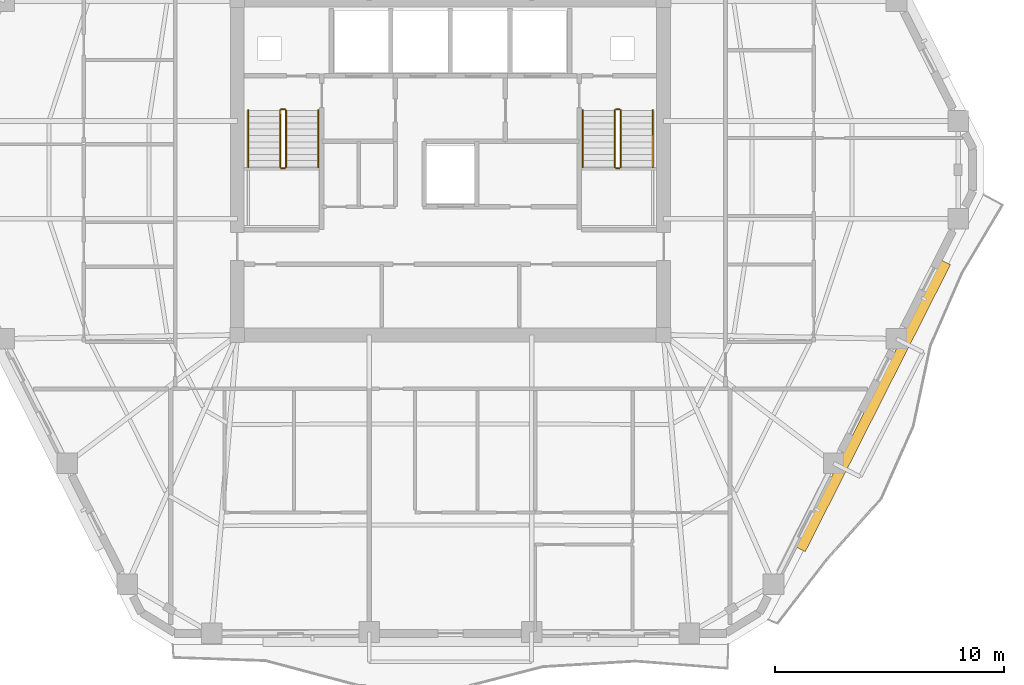
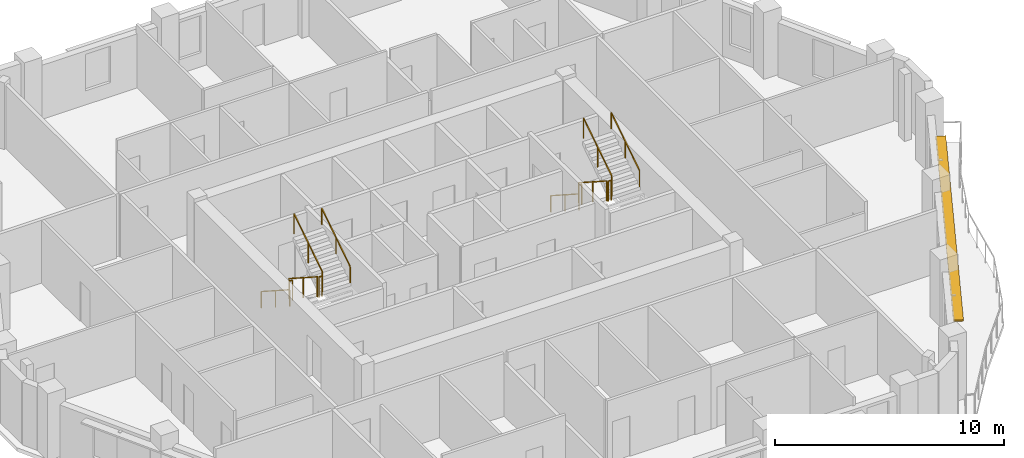
# One storey, part 10 of 11: 12 railings, 1 shading device.
"""IFC4 building model written with IfcOpenShell, lengths in metres."""

from ifc_helpers import new_model, si_unit, direction, frame, origin, origin_2d, place, context, subcontext, project, spatial, rectangle, extrude, material, layer, layer_set, type_object, element, save


model = new_model("IFC4")

# Units and contexts
model_context = context("Model", 3, precision=1e-05, world=origin(), true_north=direction((0.0, 1.0)))
body_context = subcontext(model_context, "Body", "Model", "MODEL_VIEW")
ifc_project = project(units=[si_unit("LENGTHUNIT", "METRE"), si_unit("AREAUNIT", "SQUARE_METRE"), si_unit("VOLUMEUNIT", "CUBIC_METRE"), si_unit("PLANEANGLEUNIT", "RADIAN"), si_unit("MASSUNIT", "GRAM", prefix="KILO")], contexts=[model_context])

# Site, building, storey
site_placement = place(None, origin())
site = spatial("IfcSite", under=ifc_project, at=site_placement, CompositionType="ELEMENT")
building_placement = place(site_placement, origin())
building = spatial("IfcBuilding", under=site, at=building_placement, Name="Cinnabar Lancet Tower", CompositionType="ELEMENT")
storey_placement = place(building_placement, frame((0.0, 0.0, 182.550048828125)))
storey = spatial("IfcBuildingStorey", under=building, at=storey_placement, Name="L48", CompositionType="ELEMENT", Elevation=182.550048828125)

# Shading device
ifc_material_1 = material(Name="Pale limestone architectural aluminium sunshade", Category="masonry")
ifc_layer = layer(ifc_material_1, 0.080078125)
ifc_layer_set = layer_set([ifc_layer], Name="Pale limestone architectural aluminium sunshade")
shading_device_type = type_object("IfcShadingDeviceType", Name="ENV-SHD-LVR-450", PredefinedType="JALOUSIE", material=ifc_layer_set)
shading_device_placement = place(storey_placement, frame((50.845947265625, 15.506103515625, 2.639892578125), z_axis=(0.0, 0.0, 1.0), x_axis=(0.45140713236, 0.892318105193, 0.0)))
element("IfcShadingDevice", 1, at=shading_device_placement, inside=storey, type_object=shading_device_type, Name="L48 Face 2 Horizontal Sunshade Canopy", PredefinedType="JALOUSIE", context=body_context, shape_type="SweptSolid", body=[
    extrude(rectangle(XDim=14.034912109375, YDim=0.449951171875, at=origin_2d()), origin(), (0.0, 0.0, 1.0), 0.080078125),
])

# Railings
ifc_material_2 = material(Name="Painted galvanized steel balustrade", Category="steel")
railing_type_1 = type_object("IfcRailingType", Name="GUARD-STAIR", PredefinedType="GUARDRAIL", material=ifc_material_2)
railing_1_placement = place(storey_placement, frame((24.97509765625, 28.39990234375, 0.177490234375)))
element("IfcRailing", 2, at=railing_1_placement, inside=storey, type_object=railing_type_1, Name="L48 ST-1 stair guard 1", PredefinedType="GUARDRAIL", context=body_context, shape_type="SweptSolid", body=[
    extrude(rectangle(XDim=0.048095703125, YDim=0.048095703125, at=origin_2d()), frame((0.0, 0.0, 1.076171875), z_axis=(0.0, -0.840183358697, 0.542302428327), x_axis=(1.0, 0.0, 0.0)), (0.0, 0.0, 1.0), 2.945556640625),
    extrude(rectangle(XDim=0.0419921875, YDim=0.0419921875, at=origin_2d()), origin(), (0.0, 0.0, 1.0), 1.052001953125),
    extrude(rectangle(XDim=0.0419921875, YDim=0.0419921875, at=origin_2d()), frame((0.0, -1.2373046875, 0.798828125)), (0.0, 0.0, 1.0), 1.052001953125),
    extrude(rectangle(XDim=0.0419921875, YDim=0.0419921875, at=origin_2d()), frame((0.0, -2.474853515625, 1.597412109375)), (0.0, 0.0, 1.0), 1.052001953125),
])
railing_2_placement = place(storey_placement, frame((25.02490234375, 25.875, 1.77490234375)))
element("IfcRailing", 3, at=railing_2_placement, inside=storey, type_object=railing_type_1, Name="L48 ST-1 stair guard 2", PredefinedType="GUARDRAIL", context=body_context, shape_type="SweptSolid", body=[
    extrude(rectangle(XDim=0.048095703125, YDim=0.048095703125, at=origin_2d()), frame((0.0, 0.0, 1.076171875), z_axis=(1.0, 0.0, 0.0), x_axis=(0.0, 1.0, 0.0)), (0.0, 0.0, 1.0), 0.150146484375),
    extrude(rectangle(XDim=0.0419921875, YDim=0.0419921875, at=origin_2d()), origin(), (0.0, 0.0, 1.0), 1.052001953125),
    extrude(rectangle(XDim=0.0419921875, YDim=0.0419921875, at=origin_2d()), frame((0.150146484375, 0.0, 0.0)), (0.0, 0.0, 1.0), 1.052001953125),
])
railing_3_placement = place(storey_placement, frame((25.22509765625, 25.925048828125, 1.952392578125)))
element("IfcRailing", 4, at=railing_3_placement, inside=storey, type_object=railing_type_1, Name="L48 ST-1 stair guard 3", PredefinedType="GUARDRAIL", context=body_context, shape_type="SweptSolid", body=[
    extrude(rectangle(XDim=0.048095703125, YDim=0.048095703125, at=origin_2d()), frame((0.0, 0.0, 1.076171875), z_axis=(0.0, 0.84014559416, 0.542360932049), x_axis=(-1.0, 0.0, 0.0)), (0.0, 0.0, 1.0), 2.94580078125),
    extrude(rectangle(XDim=0.0419921875, YDim=0.0419921875, at=origin_2d()), origin(), (0.0, 0.0, 1.0), 1.052001953125),
    extrude(rectangle(XDim=0.0419921875, YDim=0.0419921875, at=origin_2d()), frame((0.0, 1.2373046875, 0.798828125)), (0.0, 0.0, 1.0), 1.052001953125),
    extrude(rectangle(XDim=0.0419921875, YDim=0.0419921875, at=origin_2d()), frame((0.0, 2.474853515625, 1.59765625)), (0.0, 0.0, 1.0), 1.052001953125),
])
railing_4_placement = place(storey_placement, frame((25.02490234375, 28.449951171875, 0.0)))
element("IfcRailing", 5, at=railing_4_placement, inside=storey, type_object=railing_type_1, Name="L48 ST-1 stair guard 4", PredefinedType="GUARDRAIL", context=body_context, shape_type="SweptSolid", body=[
    extrude(rectangle(XDim=0.048095703125, YDim=0.048095703125, at=origin_2d()), frame((0.0, 0.0, 1.076171875), z_axis=(1.0, 0.0, 0.0), x_axis=(0.0, 1.0, 0.0)), (0.0, 0.0, 1.0), 0.150146484375),
    extrude(rectangle(XDim=0.0419921875, YDim=0.0419921875, at=origin_2d()), origin(), (0.0, 0.0, 1.0), 1.052001953125),
    extrude(rectangle(XDim=0.0419921875, YDim=0.0419921875, at=origin_2d()), frame((0.150146484375, 0.0, 0.0)), (0.0, 0.0, 1.0), 1.052001953125),
])
railing_5_placement = place(storey_placement, frame((39.574951171875, 28.39990234375, 0.177490234375)))
element("IfcRailing", 6, at=railing_5_placement, inside=storey, type_object=railing_type_1, Name="L48 ST-2 stair guard 1", PredefinedType="GUARDRAIL", context=body_context, shape_type="SweptSolid", body=[
    extrude(rectangle(XDim=0.048095703125, YDim=0.048095703125, at=origin_2d()), frame((0.0, 0.0, 1.076171875), z_axis=(0.0, -0.840183358697, 0.542302428327), x_axis=(1.0, 0.0, 0.0)), (0.0, 0.0, 1.0), 2.945556640625),
    extrude(rectangle(XDim=0.0419921875, YDim=0.0419921875, at=origin_2d()), origin(), (0.0, 0.0, 1.0), 1.052001953125),
    extrude(rectangle(XDim=0.0419921875, YDim=0.0419921875, at=origin_2d()), frame((0.0, -1.2373046875, 0.798828125)), (0.0, 0.0, 1.0), 1.052001953125),
    extrude(rectangle(XDim=0.0419921875, YDim=0.0419921875, at=origin_2d()), frame((0.0, -2.474853515625, 1.597412109375)), (0.0, 0.0, 1.0), 1.052001953125),
])
railing_6_placement = place(storey_placement, frame((39.625, 25.875, 1.77490234375)))
element("IfcRailing", 7, at=railing_6_placement, inside=storey, type_object=railing_type_1, Name="L48 ST-2 stair guard 2", PredefinedType="GUARDRAIL", context=body_context, shape_type="SweptSolid", body=[
    extrude(rectangle(XDim=0.048095703125, YDim=0.048095703125, at=origin_2d()), frame((0.0, 0.0, 1.076171875), z_axis=(1.0, 0.0, 0.0), x_axis=(0.0, 1.0, 0.0)), (0.0, 0.0, 1.0), 0.14990234375),
    extrude(rectangle(XDim=0.0419921875, YDim=0.0419921875, at=origin_2d()), origin(), (0.0, 0.0, 1.0), 1.052001953125),
    extrude(rectangle(XDim=0.0419921875, YDim=0.0419921875, at=origin_2d()), frame((0.14990234375, 0.0, 0.0)), (0.0, 0.0, 1.0), 1.052001953125),
])
railing_7_placement = place(storey_placement, frame((39.824951171875, 25.925048828125, 1.952392578125)))
element("IfcRailing", 8, at=railing_7_placement, inside=storey, type_object=railing_type_1, Name="L48 ST-2 stair guard 3", PredefinedType="GUARDRAIL", context=body_context, shape_type="SweptSolid", body=[
    extrude(rectangle(XDim=0.048095703125, YDim=0.048095703125, at=origin_2d()), frame((0.0, 0.0, 1.076171875), z_axis=(0.0, 0.84014559416, 0.542360932049), x_axis=(-1.0, 0.0, 0.0)), (0.0, 0.0, 1.0), 2.94580078125),
    extrude(rectangle(XDim=0.0419921875, YDim=0.0419921875, at=origin_2d()), origin(), (0.0, 0.0, 1.0), 1.052001953125),
    extrude(rectangle(XDim=0.0419921875, YDim=0.0419921875, at=origin_2d()), frame((0.0, 1.2373046875, 0.798828125)), (0.0, 0.0, 1.0), 1.052001953125),
    extrude(rectangle(XDim=0.0419921875, YDim=0.0419921875, at=origin_2d()), frame((0.0, 2.474853515625, 1.59765625)), (0.0, 0.0, 1.0), 1.052001953125),
])
railing_8_placement = place(storey_placement, frame((39.625, 28.449951171875, 0.0)))
element("IfcRailing", 9, at=railing_8_placement, inside=storey, type_object=railing_type_1, Name="L48 ST-2 stair guard 4", PredefinedType="GUARDRAIL", context=body_context, shape_type="SweptSolid", body=[
    extrude(rectangle(XDim=0.048095703125, YDim=0.048095703125, at=origin_2d()), frame((0.0, 0.0, 1.076171875), z_axis=(1.0, 0.0, 0.0), x_axis=(0.0, 1.0, 0.0)), (0.0, 0.0, 1.0), 0.14990234375),
    extrude(rectangle(XDim=0.0419921875, YDim=0.0419921875, at=origin_2d()), origin(), (0.0, 0.0, 1.0), 1.052001953125),
    extrude(rectangle(XDim=0.0419921875, YDim=0.0419921875, at=origin_2d()), frame((0.14990234375, 0.0, 0.0)), (0.0, 0.0, 1.0), 1.052001953125),
])
ifc_material_3 = material(Name="Brushed stainless steel handrail", Category="steel")
railing_type_2 = type_object("IfcRailingType", Name="HANDRAIL-STAIR", PredefinedType="HANDRAIL", material=ifc_material_3)
railing_9_placement = place(storey_placement, frame((23.574951171875, 28.39990234375, 0.177490234375)))
element("IfcRailing", 10, at=railing_9_placement, inside=storey, type_object=railing_type_2, Name="L48 ST-1 stair handrail 1", PredefinedType="HANDRAIL", context=body_context, shape_type="SweptSolid", body=[
    extrude(rectangle(XDim=0.048095703125, YDim=0.048095703125, at=origin_2d()), frame((0.0, 0.0, 0.8759765625), z_axis=(0.0, -0.840183358697, 0.542302428327), x_axis=(1.0, 0.0, 0.0)), (0.0, 0.0, 1.0), 2.945556640625),
    extrude(rectangle(XDim=0.0419921875, YDim=0.0419921875, at=origin_2d()), origin(), (0.0, 0.0, 1.0), 0.851806640625),
    extrude(rectangle(XDim=0.0419921875, YDim=0.0419921875, at=origin_2d()), frame((0.0, -1.2373046875, 0.798828125)), (0.0, 0.0, 1.0), 0.851806640625),
    extrude(rectangle(XDim=0.0419921875, YDim=0.0419921875, at=origin_2d()), frame((0.0, -2.474853515625, 1.597412109375)), (0.0, 0.0, 1.0), 0.851806640625),
])
railing_10_placement = place(storey_placement, frame((26.625, 25.925048828125, 1.952392578125)))
element("IfcRailing", 11, at=railing_10_placement, inside=storey, type_object=railing_type_2, Name="L48 ST-1 stair handrail 2", PredefinedType="HANDRAIL", context=body_context, shape_type="SweptSolid", body=[
    extrude(rectangle(XDim=0.048095703125, YDim=0.048095703125, at=origin_2d()), frame((0.0, 0.0, 0.8759765625), z_axis=(0.0, 0.84014559416, 0.542360932049), x_axis=(-1.0, 0.0, 0.0)), (0.0, 0.0, 1.0), 2.94580078125),
    extrude(rectangle(XDim=0.0419921875, YDim=0.0419921875, at=origin_2d()), origin(), (0.0, 0.0, 1.0), 0.851806640625),
    extrude(rectangle(XDim=0.0419921875, YDim=0.0419921875, at=origin_2d()), frame((0.0, 1.2373046875, 0.798828125)), (0.0, 0.0, 1.0), 0.851806640625),
    extrude(rectangle(XDim=0.0419921875, YDim=0.0419921875, at=origin_2d()), frame((0.0, 2.474853515625, 1.59765625)), (0.0, 0.0, 1.0), 0.851806640625),
])
railing_11_placement = place(storey_placement, frame((38.175048828125, 28.39990234375, 0.177490234375)))
element("IfcRailing", 12, at=railing_11_placement, inside=storey, type_object=railing_type_2, Name="L48 ST-2 stair handrail 1", PredefinedType="HANDRAIL", context=body_context, shape_type="SweptSolid", body=[
    extrude(rectangle(XDim=0.048095703125, YDim=0.048095703125, at=origin_2d()), frame((0.0, 0.0, 0.8759765625), z_axis=(0.0, -0.840183358697, 0.542302428327), x_axis=(1.0, 0.0, 0.0)), (0.0, 0.0, 1.0), 2.945556640625),
    extrude(rectangle(XDim=0.0419921875, YDim=0.0419921875, at=origin_2d()), origin(), (0.0, 0.0, 1.0), 0.851806640625),
    extrude(rectangle(XDim=0.0419921875, YDim=0.0419921875, at=origin_2d()), frame((0.0, -1.2373046875, 0.798828125)), (0.0, 0.0, 1.0), 0.851806640625),
    extrude(rectangle(XDim=0.0419921875, YDim=0.0419921875, at=origin_2d()), frame((0.0, -2.474853515625, 1.597412109375)), (0.0, 0.0, 1.0), 0.851806640625),
])
railing_12_placement = place(storey_placement, frame((41.22509765625, 25.925048828125, 1.952392578125)))
element("IfcRailing", 13, at=railing_12_placement, inside=storey, type_object=railing_type_2, Name="L48 ST-2 stair handrail 2", PredefinedType="HANDRAIL", context=body_context, shape_type="SweptSolid", body=[
    extrude(rectangle(XDim=0.048095703125, YDim=0.048095703125, at=origin_2d()), frame((0.0, 0.0, 0.8759765625), z_axis=(0.0, 0.84014559416, 0.542360932049), x_axis=(-1.0, 0.0, 0.0)), (0.0, 0.0, 1.0), 2.94580078125),
    extrude(rectangle(XDim=0.0419921875, YDim=0.0419921875, at=origin_2d()), origin(), (0.0, 0.0, 1.0), 0.851806640625),
    extrude(rectangle(XDim=0.0419921875, YDim=0.0419921875, at=origin_2d()), frame((0.0, 1.2373046875, 0.798828125)), (0.0, 0.0, 1.0), 0.851806640625),
    extrude(rectangle(XDim=0.0419921875, YDim=0.0419921875, at=origin_2d()), frame((0.0, 2.474853515625, 1.59765625)), (0.0, 0.0, 1.0), 0.851806640625),
])

save(model, "model.ifc")
